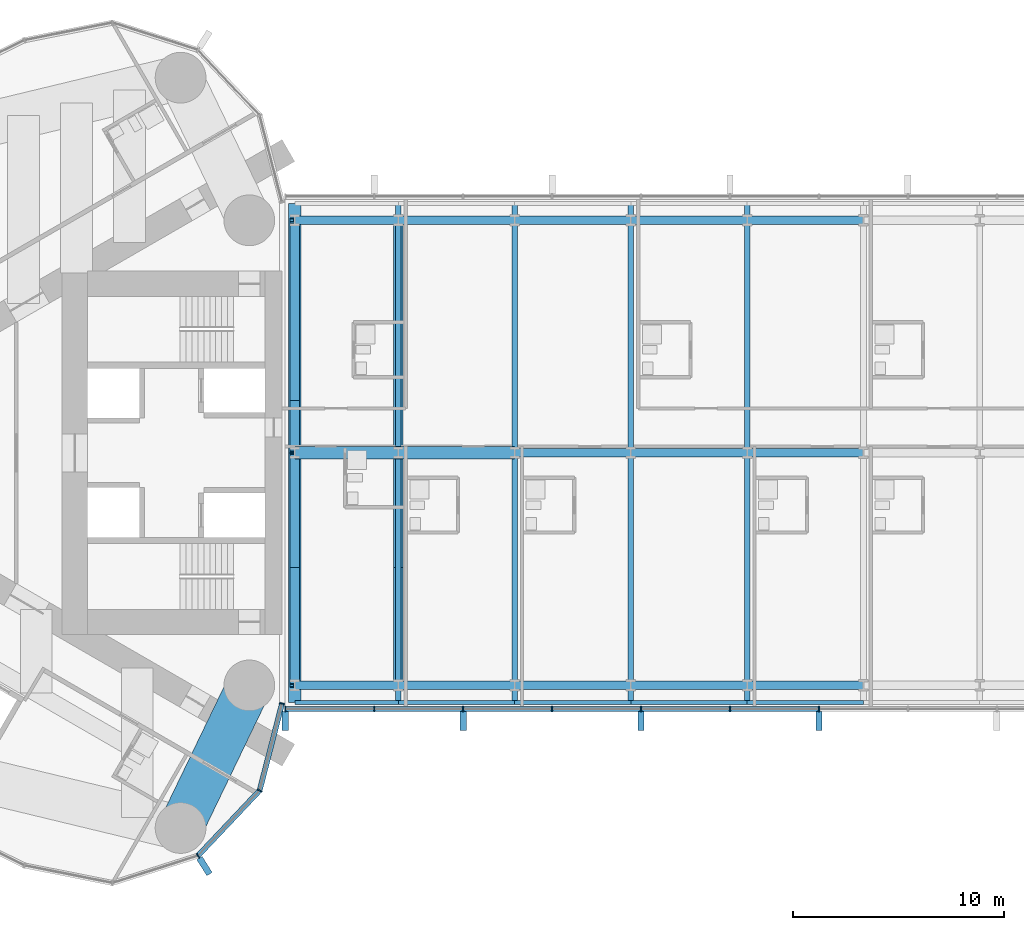
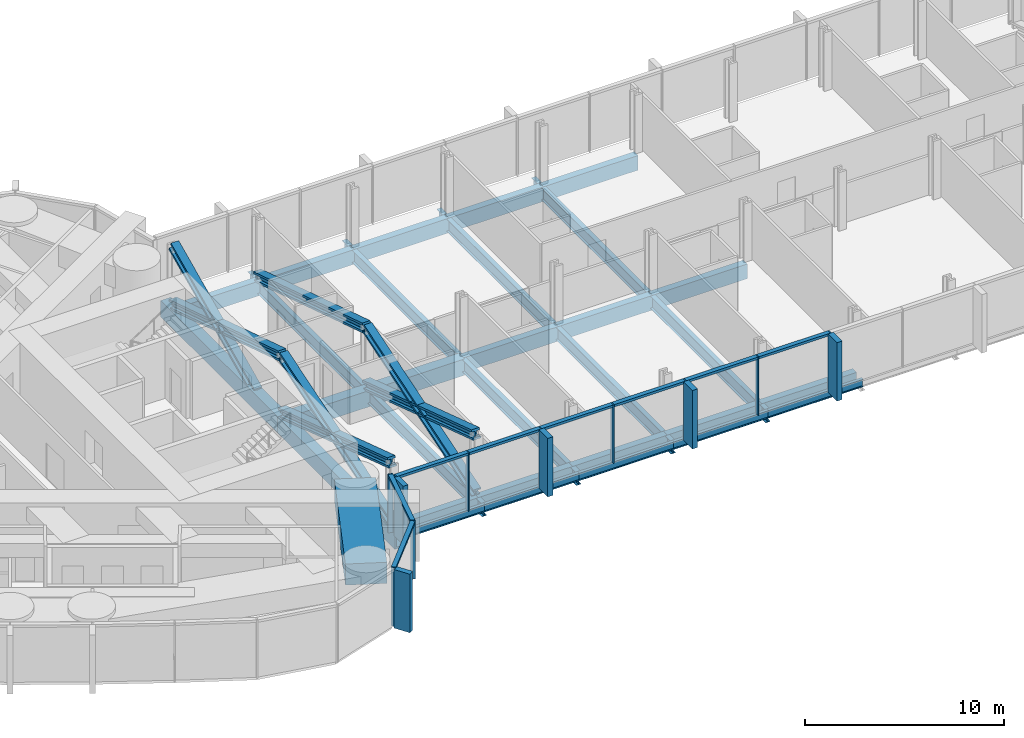
# One storey, part 5 of 23: 31 beams, 30 members, 2 elements without a shape of their own.
"""IFC4 building model written with IfcOpenShell, lengths in metres."""

from ifc_helpers import new_model, si_unit, direction, frame, origin, origin_2d, place, context, subcontext, project, spatial, rectangle, hollow_rectangle, i_section, extrude, material, material_profile, profile_set, type_object, element, aggregate, save


model = new_model("IFC4")

# Units and contexts
model_context = context("Model", 3, precision=1e-05, world=origin(), true_north=direction((0.0, 1.0)))
body_context = subcontext(model_context, "Body", "Model", "MODEL_VIEW")
ifc_project = project(units=[si_unit("LENGTHUNIT", "METRE"), si_unit("AREAUNIT", "SQUARE_METRE"), si_unit("VOLUMEUNIT", "CUBIC_METRE"), si_unit("PLANEANGLEUNIT", "RADIAN"), si_unit("MASSUNIT", "GRAM", prefix="KILO")], contexts=[model_context])

# Site, building, storey
site_placement = place(None, origin())
site = spatial("IfcSite", under=ifc_project, at=site_placement, CompositionType="ELEMENT")
building_placement = place(site_placement, origin())
building = spatial("IfcBuilding", under=site, at=building_placement, Name="Lancet Gate Hotel", CompositionType="ELEMENT")
storey_placement = place(building_placement, frame((0.0, 0.0, 240.5)))
storey = spatial("IfcBuildingStorey", under=building, at=storey_placement, Name="L64", CompositionType="ELEMENT", Elevation=240.5)

# Curtain wall, members
ifc_material_1 = material(Name="Aluminium curtain wall", Category="aluminium")
curtain_wall_type_1 = type_object("IfcCurtainWallType", Name="Tower unitised curtain wall", PredefinedType="USERDEFINED", material=ifc_material_1)
curtain_wall_1_placement = place(storey_placement, origin())
curtain_wall_1 = element("IfcCurtainWall", 1, at=curtain_wall_1_placement, inside=storey, type_object=curtain_wall_type_1, Name="T1 L64 curtain wall 1", ObjectType="UNITISED CURTAIN WALL", PredefinedType="USERDEFINED")
ifc_material_2 = material(Name="Aluminium mullion", Category="aluminium")
ifc_material_profile_1 = material_profile(ifc_material_2, rectangle(XDim=0.06494140625, YDim=0.25, at=origin_2d()), Name="MULLION 65x250")
ifc_profile_set_1 = profile_set([ifc_material_profile_1], Name="Aluminium mullion")
member_type_1 = type_object("IfcMemberType", Name="Aluminium mullion 65x250", PredefinedType="MULLION", material=ifc_profile_set_1)
member_1_placement = place(storey_placement, frame((-31.476318359375, -19.0576171875, 0.0), z_axis=(0.0, 0.0, 1.0), x_axis=(0.846612863, 0.532209225966, 0.0)))
member_1 = element("IfcMember", 2, at=member_1_placement, type_object=member_type_1, Name="T1 L64 curtain wall 1 mullion 23", PredefinedType="MULLION", context=body_context, shape_type="SweptSolid", body=[
    extrude(rectangle(XDim=0.06494140625, YDim=0.25, at=origin_2d()), origin(), (0.0, 0.0, 1.0), 3.60009765625),
])
member_2_placement = place(storey_placement, frame((-28.56005859375, -15.97216796875, 0.0), z_axis=(0.0, 0.0, 1.0), x_axis=(0.483627322447, 0.875274021654, 0.0)))
member_2 = element("IfcMember", 3, at=member_2_placement, type_object=member_type_1, Name="T1 L64 curtain wall 1 mullion 24", PredefinedType="MULLION", context=body_context, shape_type="SweptSolid", body=[
    extrude(rectangle(XDim=0.06494140625, YDim=0.25, at=origin_2d()), origin(), (0.0, 0.0, 1.0), 3.60009765625),
])
member_3_placement = place(storey_placement, frame((-27.5, -11.861572265625, 0.0), z_axis=(0.0, 0.0, 1.0), x_axis=(0.249725827997, 0.968316586056, 0.0)))
member_3 = element("IfcMember", 4, at=member_3_placement, type_object=member_type_1, Name="T1 L64 curtain wall 1 mullion 25", PredefinedType="MULLION", context=body_context, shape_type="SweptSolid", body=[
    extrude(rectangle(XDim=0.06494140625, YDim=0.25, at=origin_2d()), origin(), (0.0, 0.0, 1.0), 3.60009765625),
])

ifc_material_3 = material(Name="Aluminium curtain wall", Category="aluminium")
curtain_wall_type_2 = type_object("IfcCurtainWallType", Name="Bridge block curtain wall", PredefinedType="USERDEFINED", material=ifc_material_3)
curtain_wall_2_placement = place(storey_placement, origin())
curtain_wall_2 = element("IfcCurtainWall", 5, at=curtain_wall_2_placement, inside=storey, type_object=curtain_wall_type_2, Name="Bridge block L64 curtain wall S", ObjectType="UNITISED CURTAIN WALL", PredefinedType="USERDEFINED")
member_4_placement = place(storey_placement, frame((-27.35009765625, -12.1201171875, 0.0), z_axis=(0.0, 0.0, 1.0), x_axis=(1.0, 0.0, 0.0)))
member_4 = element("IfcMember", 6, at=member_4_placement, type_object=member_type_1, Name="Bridge block L64 curtain wall S mullion 1", PredefinedType="MULLION", context=body_context, shape_type="SweptSolid", body=[
    extrude(rectangle(XDim=0.06494140625, YDim=0.25, at=origin_2d()), origin(), (0.0, 0.0, 1.0), 3.60009765625),
])
member_5_placement = place(storey_placement, frame((-23.142333984375, -12.1201171875, 0.0), z_axis=(0.0, 0.0, 1.0), x_axis=(1.0, 0.0, 0.0)))
member_5 = element("IfcMember", 7, at=member_5_placement, type_object=member_type_1, Name="Bridge block L64 curtain wall S mullion 2", PredefinedType="MULLION", context=body_context, shape_type="SweptSolid", body=[
    extrude(rectangle(XDim=0.06494140625, YDim=0.25, at=origin_2d()), origin(), (0.0, 0.0, 1.0), 3.60009765625),
])
member_6_placement = place(storey_placement, frame((-18.9345703125, -12.1201171875, 0.0), z_axis=(0.0, 0.0, 1.0), x_axis=(1.0, 0.0, 0.0)))
member_6 = element("IfcMember", 8, at=member_6_placement, type_object=member_type_1, Name="Bridge block L64 curtain wall S mullion 3", PredefinedType="MULLION", context=body_context, shape_type="SweptSolid", body=[
    extrude(rectangle(XDim=0.06494140625, YDim=0.25, at=origin_2d()), origin(), (0.0, 0.0, 1.0), 3.60009765625),
])
member_7_placement = place(storey_placement, frame((-14.726806640625, -12.1201171875, 0.0), z_axis=(0.0, 0.0, 1.0), x_axis=(1.0, 0.0, 0.0)))
member_7 = element("IfcMember", 9, at=member_7_placement, type_object=member_type_1, Name="Bridge block L64 curtain wall S mullion 4", PredefinedType="MULLION", context=body_context, shape_type="SweptSolid", body=[
    extrude(rectangle(XDim=0.06494140625, YDim=0.25, at=origin_2d()), origin(), (0.0, 0.0, 1.0), 3.60009765625),
])
member_8_placement = place(storey_placement, frame((-10.519287109375, -12.1201171875, 0.0), z_axis=(0.0, 0.0, 1.0), x_axis=(1.0, 0.0, 0.0)))
member_8 = element("IfcMember", 10, at=member_8_placement, type_object=member_type_1, Name="Bridge block L64 curtain wall S mullion 5", PredefinedType="MULLION", context=body_context, shape_type="SweptSolid", body=[
    extrude(rectangle(XDim=0.06494140625, YDim=0.25, at=origin_2d()), origin(), (0.0, 0.0, 1.0), 3.60009765625),
])
member_9_placement = place(storey_placement, frame((-6.3115234375, -12.1201171875, 0.0), z_axis=(0.0, 0.0, 1.0), x_axis=(1.0, 0.0, 0.0)))
member_9 = element("IfcMember", 11, at=member_9_placement, type_object=member_type_1, Name="Bridge block L64 curtain wall S mullion 6", PredefinedType="MULLION", context=body_context, shape_type="SweptSolid", body=[
    extrude(rectangle(XDim=0.06494140625, YDim=0.25, at=origin_2d()), origin(), (0.0, 0.0, 1.0), 3.60009765625),
])
member_10_placement = place(storey_placement, frame((-2.103759765625, -12.1201171875, 0.0), z_axis=(0.0, 0.0, 1.0), x_axis=(1.0, 0.0, 0.0)))
member_10 = element("IfcMember", 12, at=member_10_placement, type_object=member_type_1, Name="Bridge block L64 curtain wall S mullion 7", PredefinedType="MULLION", context=body_context, shape_type="SweptSolid", body=[
    extrude(rectangle(XDim=0.06494140625, YDim=0.25, at=origin_2d()), origin(), (0.0, 0.0, 1.0), 3.60009765625),
])

# Member
ifc_material_4 = material(Name="Aluminium transom", Category="aluminium")
ifc_material_profile_2 = material_profile(ifc_material_4, rectangle(XDim=0.25, YDim=0.14990234375, at=origin_2d()), Name="TRANSOM 250x150")
ifc_profile_set_2 = profile_set([ifc_material_profile_2], Name="Aluminium transom")
member_type_2 = type_object("IfcMemberType", Name="Aluminium transom 250x150", PredefinedType="USERDEFINED", material=ifc_profile_set_2)
member_11_placement = place(storey_placement, frame((-31.453857421875, -19.033935546875, 3.52490234375), z_axis=(0.686880731091, 0.726770157103, 0.0), x_axis=(-0.726770157103, 0.686880731091, 0.0)))
member_11 = element("IfcMember", 13, at=member_11_placement, type_object=member_type_2, Name="T1 L64 curtain wall 1 transom 23", ObjectType="TRANSOM", PredefinedType="USERDEFINED", context=body_context, shape_type="SweptSolid", body=[
    extrude(rectangle(XDim=0.25, YDim=0.14990234375, at=origin_2d()), origin(), (0.0, 0.0, 1.0), 4.18017578125),
])

member_12_placement = place(storey_placement, frame((-28.552001953125, -15.94091796875, 3.52490234375), z_axis=(0.249715522936, 0.968319243641, 0.0), x_axis=(-0.968319243641, 0.249715522936, 0.0)))
member_12 = element("IfcMember", 14, at=member_12_placement, type_object=member_type_2, Name="T1 L64 curtain wall 1 transom 24", ObjectType="TRANSOM", PredefinedType="USERDEFINED", context=body_context, shape_type="SweptSolid", body=[
    extrude(rectangle(XDim=0.25, YDim=0.14990234375, at=origin_2d()), origin(), (0.0, 0.0, 1.0), 4.180419921875),
])

member_13_placement = place(storey_placement, frame((-27.3173828125, -12.1201171875, 3.52490234375), z_axis=(1.0, 0.0, 0.0), x_axis=(0.0, 1.0, 0.0)))
member_13 = element("IfcMember", 15, at=member_13_placement, type_object=member_type_2, Name="Bridge block L64 curtain wall S transom 1", ObjectType="TRANSOM", PredefinedType="USERDEFINED", context=body_context, shape_type="SweptSolid", body=[
    extrude(rectangle(XDim=0.25, YDim=0.14990234375, at=origin_2d()), origin(), (0.0, 0.0, 1.0), 4.142578125),
])

member_14_placement = place(storey_placement, frame((-23.10986328125, -12.1201171875, 3.52490234375), z_axis=(1.0, 0.0, 0.0), x_axis=(0.0, 1.0, 0.0)))
member_14 = element("IfcMember", 16, at=member_14_placement, type_object=member_type_2, Name="Bridge block L64 curtain wall S transom 2", ObjectType="TRANSOM", PredefinedType="USERDEFINED", context=body_context, shape_type="SweptSolid", body=[
    extrude(rectangle(XDim=0.25, YDim=0.14990234375, at=origin_2d()), origin(), (0.0, 0.0, 1.0), 4.142822265625),
])

member_15_placement = place(storey_placement, frame((-18.902099609375, -12.1201171875, 3.52490234375), z_axis=(1.0, 0.0, 0.0), x_axis=(0.0, 1.0, 0.0)))
member_15 = element("IfcMember", 17, at=member_15_placement, type_object=member_type_2, Name="Bridge block L64 curtain wall S transom 3", ObjectType="TRANSOM", PredefinedType="USERDEFINED", context=body_context, shape_type="SweptSolid", body=[
    extrude(rectangle(XDim=0.25, YDim=0.14990234375, at=origin_2d()), origin(), (0.0, 0.0, 1.0), 4.142578125),
])

member_16_placement = place(storey_placement, frame((-14.6943359375, -12.1201171875, 3.52490234375), z_axis=(1.0, 0.0, 0.0), x_axis=(0.0, 1.0, 0.0)))
member_16 = element("IfcMember", 18, at=member_16_placement, type_object=member_type_2, Name="Bridge block L64 curtain wall S transom 4", ObjectType="TRANSOM", PredefinedType="USERDEFINED", context=body_context, shape_type="SweptSolid", body=[
    extrude(rectangle(XDim=0.25, YDim=0.14990234375, at=origin_2d()), origin(), (0.0, 0.0, 1.0), 4.142578125),
])

member_17_placement = place(storey_placement, frame((-10.48681640625, -12.1201171875, 3.52490234375), z_axis=(1.0, 0.0, 0.0), x_axis=(0.0, 1.0, 0.0)))
member_17 = element("IfcMember", 19, at=member_17_placement, type_object=member_type_2, Name="Bridge block L64 curtain wall S transom 5", ObjectType="TRANSOM", PredefinedType="USERDEFINED", context=body_context, shape_type="SweptSolid", body=[
    extrude(rectangle(XDim=0.25, YDim=0.14990234375, at=origin_2d()), origin(), (0.0, 0.0, 1.0), 4.142822265625),
])

member_18_placement = place(storey_placement, frame((-6.279052734375, -12.1201171875, 3.52490234375), z_axis=(1.0, 0.0, 0.0), x_axis=(0.0, 1.0, 0.0)))
member_18 = element("IfcMember", 20, at=member_18_placement, type_object=member_type_2, Name="Bridge block L64 curtain wall S transom 6", ObjectType="TRANSOM", PredefinedType="USERDEFINED", context=body_context, shape_type="SweptSolid", body=[
    extrude(rectangle(XDim=0.25, YDim=0.14990234375, at=origin_2d()), origin(), (0.0, 0.0, 1.0), 4.142822265625),
])

# Members
ifc_material_5 = material(Name="Steel S460", Category="steel")
ifc_material_profile_3 = material_profile(ifc_material_5, i_section(OverallWidth=0.4541015625, OverallDepth=0.569091796875, WebThickness=0.077880859375, FlangeThickness=0.125, FilletRadius=0.02001953125, at=origin_2d()), Name="HD 400x1086")
ifc_profile_set_3 = profile_set([ifc_material_profile_3], Name="Steel S460")
member_type_3 = type_object("IfcMemberType", Name="Block brace HD 400x1086", PredefinedType="BRACE", material=ifc_profile_set_3)
member_19_placement = place(storey_placement, frame((-26.89990234375, -11.0, 0.0), z_axis=(0.0, 0.952925780013, 0.303203657277), x_axis=(-1.0, 0.0, 0.0)))
element("IfcMember", 21, at=member_19_placement, inside=storey, type_object=member_type_3, Name="Block brace WY11 L64", PredefinedType="BRACE", context=body_context, shape_type="SweptSolid", body=[
    extrude(i_section(OverallWidth=0.4541015625, OverallDepth=0.569091796875, WebThickness=0.077880859375, FlangeThickness=0.125, FilletRadius=0.02001953125, at=origin_2d()), origin(), (0.0, 0.0, 1.0), 11.54345703125),
])
member_20_placement = place(storey_placement, frame((-26.89990234375, 0.0, 0.0), z_axis=(0.0, -0.950394634814, 0.311046681573), x_axis=(1.0, 0.0, 0.0)))
element("IfcMember", 22, at=member_20_placement, inside=storey, type_object=member_type_3, Name="Block brace WY12 L64", PredefinedType="BRACE", context=body_context, shape_type="SweptSolid", body=[
    extrude(i_section(OverallWidth=0.4541015625, OverallDepth=0.569091796875, WebThickness=0.077880859375, FlangeThickness=0.125, FilletRadius=0.02001953125, at=origin_2d()), origin(), (0.0, 0.0, 1.0), 11.57421875),
])
for number, where, z_axis, x_axis, name in (
    (23, (-26.89990234375, 11.0, 0.0), (0.0, -0.952925780013, 0.303203657277), (1.0, 0.0, 0.0), "Block brace WY22 L64"),
    (24, (-22.0, -11.0, 0.0), (0.0, 0.952925780013, 0.303203657277), (-1.0, 0.0, 0.0), "Block brace WI11 L64"),
):
    element("IfcMember", number, at=place(storey_placement, frame(where, z_axis=z_axis, x_axis=x_axis)), inside=storey, type_object=member_type_3, Name=name, PredefinedType="BRACE", context=body_context, shape_type="SweptSolid", body=[
        extrude(i_section(OverallWidth=0.4541015625, OverallDepth=0.569091796875, WebThickness=0.077880859375, FlangeThickness=0.125, FilletRadius=0.02001953125, at=origin_2d()), origin(), (0.0, 0.0, 1.0), 11.54345703125),
    ])
member_21_placement = place(storey_placement, frame((-22.0, 0.0, 0.0), z_axis=(0.0, -0.950394634814, 0.311046681573), x_axis=(1.0, 0.0, 0.0)))
element("IfcMember", 25, at=member_21_placement, inside=storey, type_object=member_type_3, Name="Block brace WI12 L64", PredefinedType="BRACE", context=body_context, shape_type="SweptSolid", body=[
    extrude(i_section(OverallWidth=0.4541015625, OverallDepth=0.569091796875, WebThickness=0.077880859375, FlangeThickness=0.125, FilletRadius=0.02001953125, at=origin_2d()), origin(), (0.0, 0.0, 1.0), 11.57421875),
])
member_22_placement = place(storey_placement, frame((-22.0, 11.0, 0.0), z_axis=(0.0, -0.952925780013, 0.303203657277), x_axis=(1.0, 0.0, 0.0)))
element("IfcMember", 26, at=member_22_placement, inside=storey, type_object=member_type_3, Name="Block brace WI22 L64", PredefinedType="BRACE", context=body_context, shape_type="SweptSolid", body=[
    extrude(i_section(OverallWidth=0.4541015625, OverallDepth=0.569091796875, WebThickness=0.077880859375, FlangeThickness=0.125, FilletRadius=0.02001953125, at=origin_2d()), origin(), (0.0, 0.0, 1.0), 11.54345703125),
])
member_23_placement = place(storey_placement, frame((-26.89990234375, 2.60009765625, -0.300048828125), z_axis=(0.0, 0.907001056309, 0.42112834606), x_axis=(-1.0, 0.0, 0.0)))
element("IfcMember", 27, at=member_23_placement, inside=storey, type_object=member_type_3, Name="Block brace WY23 L64", PredefinedType="BRACE", context=body_context, shape_type="SweptSolid", body=[
    extrude(i_section(OverallWidth=0.4541015625, OverallDepth=0.569091796875, WebThickness=0.077880859375, FlangeThickness=0.125, FilletRadius=0.02001953125, at=origin_2d()), origin(), (0.0, 0.0, 1.0), 9.26123046875),
])

# Beams
ifc_material_6 = material(Name="Steel S355", Category="steel")
ifc_material_profile_4 = material_profile(ifc_material_6, i_section(OverallWidth=0.19140625, OverallDepth=0.4599609375, WebThickness=0.010009765625, FlangeThickness=0.01611328125, FilletRadius=0.01025390625, at=origin_2d()), Name="UKB 457x191x82")
ifc_profile_set_4 = profile_set([ifc_material_profile_4], Name="Steel S355")
beam_type_1 = type_object("IfcBeamType", Name="Block edge beam UKB 457x191x82", PredefinedType="SPANDREL", material=ifc_profile_set_4)
beam_1_placement = place(storey_placement, frame((-26.89990234375, -11.800048828125, -0.429931640625), z_axis=(1.0, 0.0, 0.0), x_axis=(0.0, 1.0, 0.0)))
element("IfcBeam", 28, at=beam_1_placement, inside=storey, type_object=beam_type_1, Name="Block edge beam S 0-1 L64", PredefinedType="SPANDREL", context=body_context, shape_type="SweptSolid", body=[
    extrude(i_section(OverallWidth=0.19140625, OverallDepth=0.4599609375, WebThickness=0.010009765625, FlangeThickness=0.01611328125, FilletRadius=0.01025390625, at=origin_2d()), origin(), (0.0, 0.0, 1.0), 4.89990234375),
])
for number, where, z_axis, x_axis, name in (
    (29, (-22.0, -11.800048828125, -0.429931640625), (1.0, 0.0, 0.0), (0.0, 1.0, 0.0), "Block edge beam S 1-2 L64"),
    (30, (-16.5, -11.800048828125, -0.429931640625), (1.0, 0.0, 0.0), (0.0, 1.0, 0.0), "Block edge beam S 2-3 L64"),
    (31, (-11.0, -11.800048828125, -0.429931640625), (1.0, 0.0, 0.0), (0.0, 1.0, 0.0), "Block edge beam S 3-4 L64"),
    (32, (-5.5, -11.800048828125, -0.429931640625), (1.0, 0.0, 0.0), (0.0, 1.0, 0.0), "Block edge beam S 4-5 L64"),
):
    element("IfcBeam", number, at=place(storey_placement, frame(where, z_axis=z_axis, x_axis=x_axis)), inside=storey, type_object=beam_type_1, Name=name, PredefinedType="SPANDREL", context=body_context, shape_type="SweptSolid", body=[
        extrude(i_section(OverallWidth=0.19140625, OverallDepth=0.4599609375, WebThickness=0.010009765625, FlangeThickness=0.01611328125, FilletRadius=0.01025390625, at=origin_2d()), origin(), (0.0, 0.0, 1.0), 5.5),
    ])
ifc_material_7 = material(Name="Steel S460QL", Category="steel")
ifc_material_profile_5 = material_profile(ifc_material_7, hollow_rectangle(XDim=0.60009765625, YDim=1.0, WallThickness=0.10009765625, at=origin_2d()), Name="BOX 1000x600x100")
ifc_profile_set_5 = profile_set([ifc_material_profile_5], Name="Steel S460QL")
beam_type_2 = type_object("IfcBeamType", Name="Block end beam BOX 1000x600x100", PredefinedType="BEAM", material=ifc_profile_set_5)
for number, where, z_axis, x_axis, name in (
    (33, (-26.89990234375, -11.800048828125, -0.699951171875), (0.0, 1.0, 0.0), (-1.0, 0.0, 0.0), "Block beam x0 S L64"),
    (34, (-26.89990234375, 0.0, -0.699951171875), (0.0, 1.0, 0.0), (-1.0, 0.0, 0.0), "Block beam x0 N L64"),
):
    element("IfcBeam", number, at=place(storey_placement, frame(where, z_axis=z_axis, x_axis=x_axis)), inside=storey, type_object=beam_type_2, Name=name, PredefinedType="BEAM", context=body_context, shape_type="SweptSolid", body=[
        extrude(hollow_rectangle(XDim=0.60009765625, YDim=1.0, WallThickness=0.10009765625, at=origin_2d()), origin(), (0.0, 0.0, 1.0), 11.800048828125),
    ])
ifc_material_8 = material(Name="Steel S460QL", Category="steel")
ifc_material_profile_6 = material_profile(ifc_material_8, hollow_rectangle(XDim=0.60009765625, YDim=1.0, WallThickness=0.080078125, at=origin_2d()), Name="BOX 1000x600x80")
ifc_profile_set_6 = profile_set([ifc_material_profile_6], Name="Steel S460QL")
beam_type_3 = type_object("IfcBeamType", Name="Block primary beam BOX 1000x600x80", PredefinedType="BEAM", material=ifc_profile_set_6)
beam_2_placement = place(storey_placement, frame((-26.89990234375, 0.0, -0.699951171875), z_axis=(1.0, 0.0, 0.0), x_axis=(0.0, 1.0, 0.0)))
element("IfcBeam", 35, at=beam_2_placement, inside=storey, type_object=beam_type_3, Name="Block primary beam M 1 L64", PredefinedType="BEAM", context=body_context, shape_type="SweptSolid", body=[
    extrude(hollow_rectangle(XDim=0.60009765625, YDim=1.0, WallThickness=0.080078125, at=origin_2d()), origin(), (0.0, 0.0, 1.0), 4.89990234375),
])
beam_3_placement = place(storey_placement, frame((-22.0, 0.0, -0.699951171875), z_axis=(1.0, 0.0, 0.0), x_axis=(0.0, 1.0, 0.0)))
element("IfcBeam", 36, at=beam_3_placement, inside=storey, type_object=beam_type_3, Name="Block primary beam M 2 L64", PredefinedType="BEAM", context=body_context, shape_type="SweptSolid", body=[
    extrude(hollow_rectangle(XDim=0.60009765625, YDim=1.0, WallThickness=0.080078125, at=origin_2d()), origin(), (0.0, 0.0, 1.0), 5.5),
])
ifc_material_9 = material(Name="Steel S355", Category="steel")
ifc_material_profile_7 = material_profile(ifc_material_9, hollow_rectangle(XDim=0.39990234375, YDim=0.89990234375, WallThickness=0.0400390625, at=origin_2d()), Name="BOX 900x400x40")
ifc_profile_set_7 = profile_set([ifc_material_profile_7], Name="Steel S355")
beam_type_4 = type_object("IfcBeamType", Name="Block primary beam BOX 900x400x40", PredefinedType="BEAM", material=ifc_profile_set_7)
beam_4_placement = place(storey_placement, frame((-26.89990234375, -11.0, -0.64990234375), z_axis=(1.0, 0.0, 0.0), x_axis=(0.0, 1.0, 0.0)))
element("IfcBeam", 37, at=beam_4_placement, inside=storey, type_object=beam_type_4, Name="Block primary beam S 1 L64", PredefinedType="BEAM", context=body_context, shape_type="SweptSolid", body=[
    extrude(hollow_rectangle(XDim=0.39990234375, YDim=0.89990234375, WallThickness=0.0400390625, at=origin_2d()), origin(), (0.0, 0.0, 1.0), 4.89990234375),
])
for number, where, z_axis, x_axis, name in (
    (38, (-22.0, -11.0, -0.64990234375), (1.0, 0.0, 0.0), (0.0, 1.0, 0.0), "Block primary beam S 2 L64"),
    (39, (-16.5, -11.0, -0.64990234375), (1.0, 0.0, 0.0), (0.0, 1.0, 0.0), "Block primary beam S 3 L64"),
    (40, (-11.0, -11.0, -0.64990234375), (1.0, 0.0, 0.0), (0.0, 1.0, 0.0), "Block primary beam S 4 L64"),
    (41, (-5.5, -11.0, -0.64990234375), (1.0, 0.0, 0.0), (0.0, 1.0, 0.0), "Block primary beam S 5 L64"),
    (42, (-16.5, 0.0, -0.64990234375), (1.0, 0.0, 0.0), (0.0, 1.0, 0.0), "Block primary beam M 3 L64"),
    (43, (-11.0, 0.0, -0.64990234375), (1.0, 0.0, 0.0), (0.0, 1.0, 0.0), "Block primary beam M 4 L64"),
    (44, (-5.5, 0.0, -0.64990234375), (1.0, 0.0, 0.0), (0.0, 1.0, 0.0), "Block primary beam M 5 L64"),
):
    element("IfcBeam", number, at=place(storey_placement, frame(where, z_axis=z_axis, x_axis=x_axis)), inside=storey, type_object=beam_type_4, Name=name, PredefinedType="BEAM", context=body_context, shape_type="SweptSolid", body=[
        extrude(hollow_rectangle(XDim=0.39990234375, YDim=0.89990234375, WallThickness=0.0400390625, at=origin_2d()), origin(), (0.0, 0.0, 1.0), 5.5),
    ])
beam_5_placement = place(storey_placement, frame((-26.89990234375, 11.0, -0.64990234375), z_axis=(1.0, 0.0, 0.0), x_axis=(0.0, 1.0, 0.0)))
element("IfcBeam", 45, at=beam_5_placement, inside=storey, type_object=beam_type_4, Name="Block primary beam N 1 L64", PredefinedType="BEAM", context=body_context, shape_type="SweptSolid", body=[
    extrude(hollow_rectangle(XDim=0.39990234375, YDim=0.89990234375, WallThickness=0.0400390625, at=origin_2d()), origin(), (0.0, 0.0, 1.0), 4.89990234375),
])
for number, where, z_axis, x_axis, name in (
    (46, (-22.0, 11.0, -0.64990234375), (1.0, 0.0, 0.0), (0.0, 1.0, 0.0), "Block primary beam N 2 L64"),
    (47, (-16.5, 11.0, -0.64990234375), (1.0, 0.0, 0.0), (0.0, 1.0, 0.0), "Block primary beam N 3 L64"),
    (48, (-11.0, 11.0, -0.64990234375), (1.0, 0.0, 0.0), (0.0, 1.0, 0.0), "Block primary beam N 4 L64"),
    (49, (-5.5, 11.0, -0.64990234375), (1.0, 0.0, 0.0), (0.0, 1.0, 0.0), "Block primary beam N 5 L64"),
):
    element("IfcBeam", number, at=place(storey_placement, frame(where, z_axis=z_axis, x_axis=x_axis)), inside=storey, type_object=beam_type_4, Name=name, PredefinedType="BEAM", context=body_context, shape_type="SweptSolid", body=[
        extrude(hollow_rectangle(XDim=0.39990234375, YDim=0.89990234375, WallThickness=0.0400390625, at=origin_2d()), origin(), (0.0, 0.0, 1.0), 5.5),
    ])
ifc_material_10 = material(Name="Steel S355", Category="steel")
ifc_material_profile_8 = material_profile(ifc_material_10, i_section(OverallWidth=0.26806640625, OverallDepth=0.769775390625, WebThickness=0.015625, FlangeThickness=0.025390625, FilletRadius=0.0166015625, at=origin_2d()), Name="UKB 762x267x197")
ifc_profile_set_8 = profile_set([ifc_material_profile_8], Name="Steel S355")
beam_type_5 = type_object("IfcBeamType", Name="Block secondary beam UKB 762x267x197", PredefinedType="JOIST", material=ifc_profile_set_8)
for number, where, z_axis, x_axis, name in (
    (50, (-22.0, -11.800048828125, -0.5849609375), (0.0, 1.0, 0.0), (-1.0, 0.0, 0.0), "Block beam x1 S L64"),
    (51, (-22.0, 0.0, -0.5849609375), (0.0, 1.0, 0.0), (-1.0, 0.0, 0.0), "Block beam x1 N L64"),
    (52, (-16.5, -11.800048828125, -0.5849609375), (0.0, 1.0, 0.0), (-1.0, 0.0, 0.0), "Block beam x2 S L64"),
    (53, (-16.5, 0.0, -0.5849609375), (0.0, 1.0, 0.0), (-1.0, 0.0, 0.0), "Block beam x2 N L64"),
    (54, (-11.0, -11.800048828125, -0.5849609375), (0.0, 1.0, 0.0), (-1.0, 0.0, 0.0), "Block beam x3 S L64"),
    (55, (-11.0, 0.0, -0.5849609375), (0.0, 1.0, 0.0), (-1.0, 0.0, 0.0), "Block beam x3 N L64"),
    (56, (-5.5, -11.800048828125, -0.5849609375), (0.0, 1.0, 0.0), (-1.0, 0.0, 0.0), "Block beam x4 S L64"),
    (57, (-5.5, 0.0, -0.5849609375), (0.0, 1.0, 0.0), (-1.0, 0.0, 0.0), "Block beam x4 N L64"),
):
    element("IfcBeam", number, at=place(storey_placement, frame(where, z_axis=z_axis, x_axis=x_axis)), inside=storey, type_object=beam_type_5, Name=name, PredefinedType="JOIST", context=body_context, shape_type="SweptSolid", body=[
        extrude(i_section(OverallWidth=0.26806640625, OverallDepth=0.769775390625, WebThickness=0.015625, FlangeThickness=0.025390625, FilletRadius=0.0166015625, at=origin_2d()), origin(), (0.0, 0.0, 1.0), 11.800048828125),
    ])
ifc_material_11 = material(Name="Concrete C50/60", Category="concrete")
ifc_material_profile_9 = material_profile(ifc_material_11, rectangle(XDim=2.10009765625, YDim=1.300048828125, at=origin_2d()), Name="RC 2100x1300")
ifc_profile_set_9 = profile_set([ifc_material_profile_9], Name="Concrete C50/60")
beam_type_6 = type_object("IfcBeamType", Name="Edge beam RC 2100x1300", PredefinedType="SPANDREL", material=ifc_profile_set_9)
beam_6_placement = place(storey_placement, frame((-29.050048828125, -11.0, 2.699951171875), z_axis=(-0.434163599361, -0.900834040759, 0.0), x_axis=(0.900834040759, -0.434163599361, 0.0)))
element("IfcBeam", 58, at=beam_6_placement, inside=storey, type_object=beam_type_6, Name="T1 edge beam EB1 L64", PredefinedType="SPANDREL", context=body_context, shape_type="SweptSolid", body=[
    extrude(rectangle(XDim=2.10009765625, YDim=1.300048828125, at=origin_2d()), origin(), (0.0, 0.0, 1.0), 7.48779296875),
])

# Member
ifc_material_12 = material(Name="Precast concrete C50/60", Category="concrete")
ifc_material_profile_10 = material_profile(ifc_material_12, rectangle(XDim=0.300048828125, YDim=0.89990234375, at=origin_2d()), Name="FIN 300x900")
ifc_profile_set_10 = profile_set([ifc_material_profile_10], Name="Precast concrete C50/60")
member_type_4 = type_object("IfcMemberType", Name="Exposed concrete fin 300x900", PredefinedType="USERDEFINED", material=ifc_profile_set_10)
member_24_placement = place(storey_placement, frame((-31.170166015625, -19.54443359375, 0.0), z_axis=(0.0, 0.0, 1.0), x_axis=(0.846612863, 0.532209225966, 0.0)))
member_24 = element("IfcMember", 59, at=member_24_placement, type_object=member_type_4, Name="T1 L64 curtain wall 1 fin 23", ObjectType="FIN", PredefinedType="USERDEFINED", context=body_context, shape_type="SweptSolid", body=[
    extrude(rectangle(XDim=0.300048828125, YDim=0.89990234375, at=origin_2d()), origin(), (0.0, 0.0, 1.0), 3.60009765625),
])

aggregate(curtain_wall_1, [member_1, member_24, member_2, member_3, member_11, member_12])

member_25_placement = place(storey_placement, frame((-27.35009765625, -12.695068359375, 0.0), z_axis=(0.0, 0.0, 1.0), x_axis=(1.0, 0.0, 0.0)))
member_25 = element("IfcMember", 60, at=member_25_placement, type_object=member_type_4, Name="Bridge block L64 curtain wall S fin 1", ObjectType="FIN", PredefinedType="USERDEFINED", context=body_context, shape_type="SweptSolid", body=[
    extrude(rectangle(XDim=0.300048828125, YDim=0.89990234375, at=origin_2d()), origin(), (0.0, 0.0, 1.0), 3.60009765625),
])

member_26_placement = place(storey_placement, frame((-18.9345703125, -12.695068359375, 0.0), z_axis=(0.0, 0.0, 1.0), x_axis=(1.0, 0.0, 0.0)))
member_26 = element("IfcMember", 61, at=member_26_placement, type_object=member_type_4, Name="Bridge block L64 curtain wall S fin 3", ObjectType="FIN", PredefinedType="USERDEFINED", context=body_context, shape_type="SweptSolid", body=[
    extrude(rectangle(XDim=0.300048828125, YDim=0.89990234375, at=origin_2d()), origin(), (0.0, 0.0, 1.0), 3.60009765625),
])

member_27_placement = place(storey_placement, frame((-10.519287109375, -12.695068359375, 0.0), z_axis=(0.0, 0.0, 1.0), x_axis=(1.0, 0.0, 0.0)))
member_27 = element("IfcMember", 62, at=member_27_placement, type_object=member_type_4, Name="Bridge block L64 curtain wall S fin 5", ObjectType="FIN", PredefinedType="USERDEFINED", context=body_context, shape_type="SweptSolid", body=[
    extrude(rectangle(XDim=0.300048828125, YDim=0.89990234375, at=origin_2d()), origin(), (0.0, 0.0, 1.0), 3.60009765625),
])

member_28_placement = place(storey_placement, frame((-2.103759765625, -12.695068359375, 0.0), z_axis=(0.0, 0.0, 1.0), x_axis=(1.0, 0.0, 0.0)))
member_28 = element("IfcMember", 63, at=member_28_placement, type_object=member_type_4, Name="Bridge block L64 curtain wall S fin 7", ObjectType="FIN", PredefinedType="USERDEFINED", context=body_context, shape_type="SweptSolid", body=[
    extrude(rectangle(XDim=0.300048828125, YDim=0.89990234375, at=origin_2d()), origin(), (0.0, 0.0, 1.0), 3.60009765625),
])

aggregate(curtain_wall_2, [member_4, member_25, member_5, member_6, member_26, member_7, member_8, member_27, member_9, member_10, member_28, member_13, member_14, member_15, member_16, member_17, member_18])

save(model, "model.ifc")
